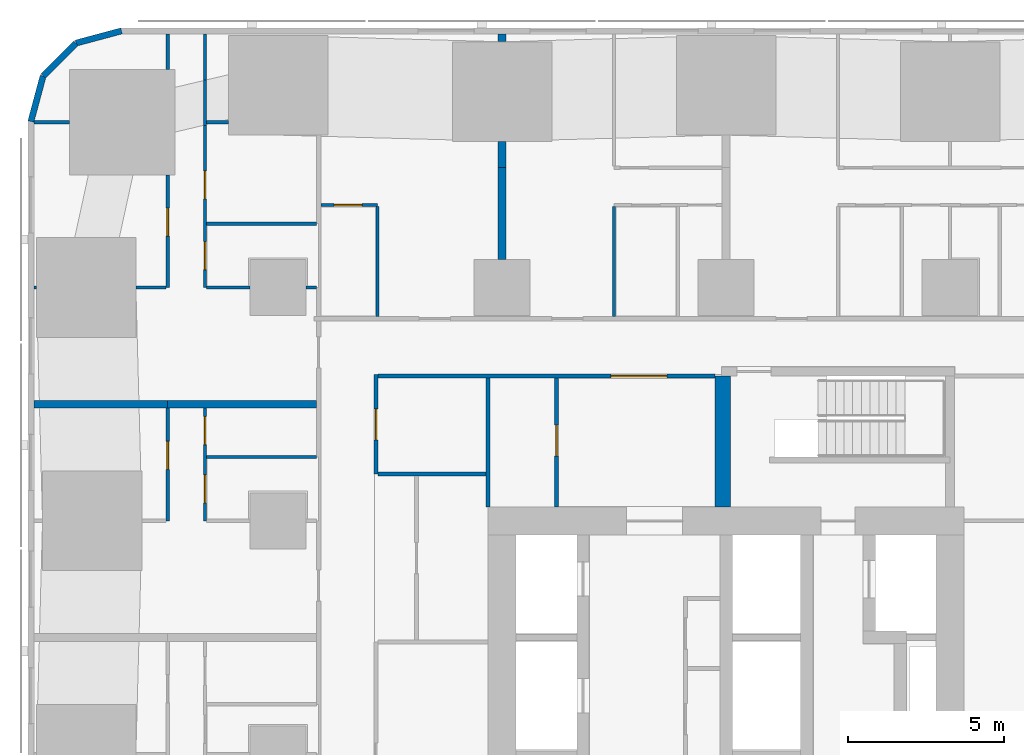
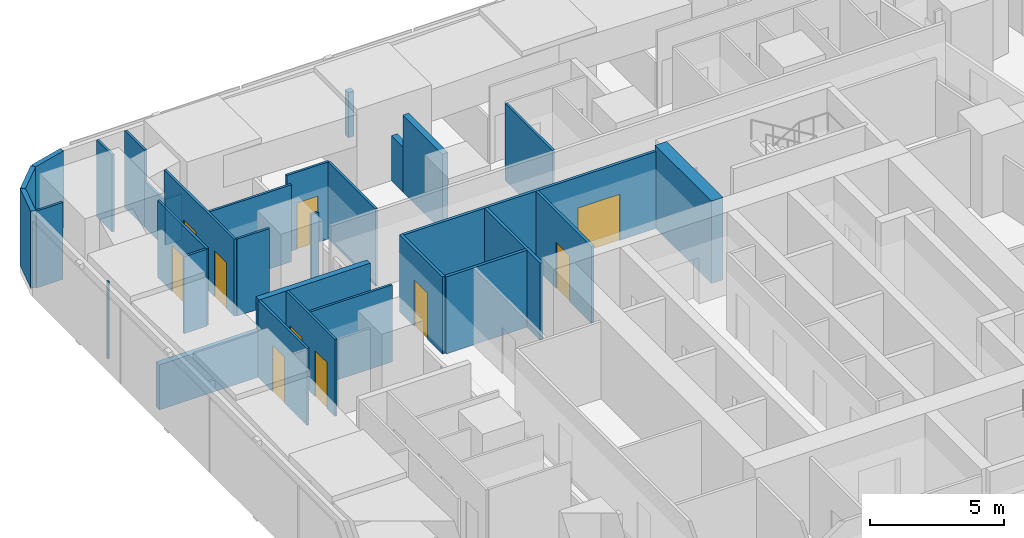
# One storey, part 12 of 18: 32 walls, 10 doors, 10 openings.
"""IFC4 building model written with IfcOpenShell, lengths in metres."""

from ifc_helpers import new_model, si_unit, direction, frame, frame_2d, origin, place, context, subcontext, project, spatial, rectangle, extrude, material, layer, layer_set, type_object, element, fill, save


model = new_model("IFC4")

# Units and contexts
model_context = context("Model", 3, precision=1e-05, world=origin(), true_north=direction((0.0, 1.0)))
body_context = subcontext(model_context, "Body", "Model", "MODEL_VIEW")
ifc_project = project(units=[si_unit("LENGTHUNIT", "METRE"), si_unit("AREAUNIT", "SQUARE_METRE"), si_unit("VOLUMEUNIT", "CUBIC_METRE"), si_unit("PLANEANGLEUNIT", "RADIAN"), si_unit("MASSUNIT", "GRAM", prefix="KILO")], contexts=[model_context])

# Site, building, storey
site_placement = place(None, origin())
site = spatial("IfcSite", under=ifc_project, at=site_placement, CompositionType="ELEMENT")
building_placement = place(site_placement, origin())
building = spatial("IfcBuilding", under=site, at=building_placement, Name="Sheger Commons Tower", CompositionType="ELEMENT")
storey_placement = place(building_placement, frame((0.0, 0.0, 20.0)))
storey = spatial("IfcBuildingStorey", under=building, at=storey_placement, Name="L04", CompositionType="ELEMENT", Elevation=20.0)

# Walls
ifc_material_1 = material(Name="Dense concrete block masonry, plastered both sides (separating wall between flats)", Category="masonry")
ifc_layer_1 = layer(ifc_material_1, 0.25)
ifc_layer_set_1 = layer_set([ifc_layer_1], Name="DEMISING WALL 250")
wall_type_1 = type_object("IfcWallType", Name="DEMISING WALL 250", PredefinedType="SOLIDWALL", material=ifc_layer_set_1)
wall_1_placement = place(storey_placement, frame((-0.64990234375, 33.75, 0.0), z_axis=(0.0, 0.0, 1.0), x_axis=(1.0, 0.0, 0.0)))
element("IfcWall", 1, at=wall_1_placement, inside=storey, type_object=wall_type_1, Name="Demising wall L04", PredefinedType="SOLIDWALL", context=body_context, shape_type="SweptSolid", body=[
    extrude(rectangle(XDim=4.2998046875, YDim=0.25, at=frame_2d((2.14990234375, 0.0))), origin(), (0.0, 0.0, 1.0), 2.050048828125),
])
wall_2_placement = place(storey_placement, frame((3.64990234375, 33.75, 0.0), z_axis=(0.0, 0.0, 1.0), x_axis=(1.0, 0.0, 0.0)))
element("IfcWall", 2, at=wall_2_placement, inside=storey, type_object=wall_type_1, Name="Demising wall L04", PredefinedType="SOLIDWALL", context=body_context, shape_type="SweptSolid", body=[
    extrude(rectangle(XDim=4.775146484375, YDim=0.25, at=frame_2d((2.3876953125, 0.0))), origin(), (0.0, 0.0, 1.0), 3.5),
])
wall_3_placement = place(storey_placement, frame((14.39990234375, 41.35009765625, 0.0), z_axis=(0.0, 0.0, 1.0), x_axis=(0.0, 1.0, 0.0)))
element("IfcWall", 3, at=wall_3_placement, inside=storey, type_object=wall_type_1, Name="Demising wall L04", PredefinedType="SOLIDWALL", context=body_context, shape_type="SweptSolid", body=[
    extrude(rectangle(XDim=0.848876953125, YDim=0.25, at=frame_2d((0.42431640625, 0.0))), origin(), (0.0, 0.0, 1.0), 2.050048828125),
])
wall_4_placement = place(storey_placement, frame((14.39990234375, 45.40087890625, 0.0), z_axis=(0.0, 0.0, 1.0), x_axis=(0.0, 1.0, 0.0)))
element("IfcWall", 4, at=wall_4_placement, inside=storey, type_object=wall_type_1, Name="Demising wall L04", PredefinedType="SOLIDWALL", context=body_context, shape_type="SweptSolid", body=[
    extrude(rectangle(XDim=0.2490234375, YDim=0.25, at=frame_2d((0.12451171875, 0.0))), origin(), (0.0, 0.0, 1.0), 2.050048828125),
])
wall_5_placement = place(storey_placement, frame((14.39990234375, 38.40087890625, 0.0), z_axis=(0.0, 0.0, 1.0), x_axis=(0.0, 1.0, 0.0)))
element("IfcWall", 5, at=wall_5_placement, inside=storey, type_object=wall_type_1, Name="Demising wall L04", PredefinedType="SOLIDWALL", context=body_context, shape_type="SweptSolid", body=[
    extrude(rectangle(XDim=2.94921875, YDim=0.25, at=frame_2d((1.474609375, 0.0))), origin(), (0.0, 0.0, 1.0), 3.5),
])
ifc_material_2 = material(Name="Rendered concrete block masonry, dark grey", Category="masonry")
ifc_layer_2 = layer(ifc_material_2, 0.199951171875)
ifc_layer_set_2 = layer_set([ifc_layer_2], Name="FACADE WALL 200")
wall_type_2 = type_object("IfcWallType", Name="FACADE WALL 200", PredefinedType="SOLIDWALL", material=ifc_layer_set_2)
wall_6_placement = place(storey_placement, frame((2.1630859375, 45.75, 0.0), z_axis=(0.0, 0.0, 1.0), x_axis=(-0.965832000415, -0.259168954497, 0.0)))
element("IfcWall", 6, at=wall_6_placement, inside=storey, type_object=wall_type_2, Name="Facade wall L04", PredefinedType="SOLIDWALL", context=body_context, shape_type="SweptSolid", body=[
    extrude(rectangle(XDim=1.512939453125, YDim=0.199951171875, at=frame_2d((0.75634765625, 0.0))), origin(), (0.0, 0.0, 1.0), 3.5),
])
wall_7_placement = place(storey_placement, frame((0.701904296875, 45.35791015625, 0.0), z_axis=(0.0, 0.0, 1.0), x_axis=(-0.707106781187, -0.707106781187, 0.0)))
element("IfcWall", 7, at=wall_7_placement, inside=storey, type_object=wall_type_2, Name="Facade wall L04", PredefinedType="SOLIDWALL", context=body_context, shape_type="SweptSolid", body=[
    extrude(rectangle(XDim=1.498779296875, YDim=0.199951171875, at=frame_2d((0.74951171875, 0.0))), origin(), (0.0, 0.0, 1.0), 3.5),
])
wall_8_placement = place(storey_placement, frame((-0.35791015625, 44.298095703125, 0.0), z_axis=(0.0, 0.0, 1.0), x_axis=(-0.259168954497, -0.965832000415, 0.0)))
element("IfcWall", 8, at=wall_8_placement, inside=storey, type_object=wall_type_2, Name="Facade wall L04", PredefinedType="SOLIDWALL", context=body_context, shape_type="SweptSolid", body=[
    extrude(rectangle(XDim=1.512939453125, YDim=0.199951171875, at=frame_2d((0.75634765625, 0.0))), origin(), (0.0, 0.0, 1.0), 3.5),
])

# Wall, opening, door
ifc_material_3 = material(Name="Gypsum board on steel studs", Category="steel")
ifc_layer_3 = layer(ifc_material_3, 0.10009765625)
ifc_layer_set_3 = layer_set([ifc_layer_3], Name="PARTITION 100")
wall_type_3 = type_object("IfcWallType", Name="PARTITION 100", PredefinedType="PARTITIONING", material=ifc_layer_set_3)
wall_9_placement = place(storey_placement, frame((3.64990234375, 30.0, 0.0), z_axis=(0.0, 0.0, 1.0), x_axis=(0.0, 1.0, 0.0)))
wall_9 = element("IfcWall", 9, at=wall_9_placement, inside=storey, type_object=wall_type_3, Name="Partition L04", PredefinedType="PARTITIONING", context=body_context, shape_type="SweptSolid", body=[
    extrude(rectangle(XDim=3.625, YDim=0.10009765625, at=frame_2d((1.8125, 0.0))), origin(), (0.0, 0.0, 1.0), 3.5),
])
opening_1_placement = place(wall_9_placement, frame((1.64990234375, 0.0, 0.0)))
opening_1 = element("IfcOpeningElement", 10, at=opening_1_placement, cuts=wall_9, Name="Opening D2", PredefinedType="OPENING", context=body_context, shape_type="SweptSolid", body=[
    extrude(rectangle(XDim=0.89990234375, YDim=2.10009765625, at=frame_2d((0.449951171875, 1.050048828125))), frame((0.0, 0.06005859375, 0.0), z_axis=(0.0, -1.0, 0.0), x_axis=(1.0, 0.0, 0.0)), (0.0, 0.0, 1.0), 0.1201171875),
])
ifc_material_4 = material(Name="Timber door set", Category="wood")
door_type_1 = type_object("IfcDoorType", Name="INTERNAL DOOR 900x2100", OperationType="NOTDEFINED", PredefinedType="DOOR", material=ifc_material_4)
door_1_placement = place(opening_1_placement, origin())
door_1 = element("IfcDoor", 11, at=door_1_placement, inside=storey, type_object=door_type_1, Name="Main bedroom door", OperationType="SINGLE_SWING_RIGHT", OverallHeight=2.10009765625, OverallWidth=0.89990234375, PredefinedType="DOOR", context=body_context, shape_type="SweptSolid", body=[
    extrude(rectangle(XDim=0.89990234375, YDim=2.10009765625, at=frame_2d((0.449951171875, 1.050048828125))), frame((0.0, 0.02490234375, 0.0), z_axis=(0.0, -1.0, 0.0), x_axis=(1.0, 0.0, 0.0)), (0.0, 0.0, 1.0), 0.050048828125),
])
fill(opening_1, door_1)

# Wall, openings, doors
wall_10_placement = place(storey_placement, frame((4.85009765625, 30.0, 0.0), z_axis=(0.0, 0.0, 1.0), x_axis=(0.0, 1.0, 0.0)))
wall_10 = element("IfcWall", 12, at=wall_10_placement, inside=storey, type_object=wall_type_3, Name="Partition L04", PredefinedType="PARTITIONING", context=body_context, shape_type="SweptSolid", body=[
    extrude(rectangle(XDim=3.625, YDim=0.10009765625, at=frame_2d((1.8125, 0.0))), origin(), (0.0, 0.0, 1.0), 3.5),
])
opening_2_placement = place(wall_10_placement, frame((0.574951171875, 0.0, 0.0)))
opening_2 = element("IfcOpeningElement", 13, at=opening_2_placement, cuts=wall_10, Name="Opening D2", PredefinedType="OPENING", context=body_context, shape_type="SweptSolid", body=[
    extrude(rectangle(XDim=0.89990234375, YDim=2.10009765625, at=frame_2d((0.449951171875, 1.050048828125))), frame((0.0, 0.06005859375, 0.0), z_axis=(0.0, -1.0, 0.0), x_axis=(1.0, 0.0, 0.0)), (0.0, 0.0, 1.0), 0.1201171875),
])
opening_3_placement = place(wall_10_placement, frame((2.449951171875, 0.0, 0.0)))
opening_3 = element("IfcOpeningElement", 14, at=opening_3_placement, cuts=wall_10, Name="Opening D2", PredefinedType="OPENING", context=body_context, shape_type="SweptSolid", body=[
    extrude(rectangle(XDim=0.89990234375, YDim=2.10009765625, at=frame_2d((0.449951171875, 1.050048828125))), frame((0.0, 0.06005859375, 0.0), z_axis=(0.0, -1.0, 0.0), x_axis=(1.0, 0.0, 0.0)), (0.0, 0.0, 1.0), 0.1201171875),
])
door_2_placement = place(opening_2_placement, origin())
door_2 = element("IfcDoor", 15, at=door_2_placement, inside=storey, type_object=door_type_1, Name="Bathroom door", OperationType="SINGLE_SWING_RIGHT", OverallHeight=2.10009765625, OverallWidth=0.89990234375, PredefinedType="DOOR", context=body_context, shape_type="SweptSolid", body=[
    extrude(rectangle(XDim=0.89990234375, YDim=2.10009765625, at=frame_2d((0.449951171875, 1.050048828125))), frame((0.0, 0.02490234375, 0.0), z_axis=(0.0, -1.0, 0.0), x_axis=(1.0, 0.0, 0.0)), (0.0, 0.0, 1.0), 0.050048828125),
])
fill(opening_2, door_2)
door_3_placement = place(opening_3_placement, origin())
door_3 = element("IfcDoor", 16, at=door_3_placement, inside=storey, type_object=door_type_1, Name="Store door", OperationType="SINGLE_SWING_LEFT", OverallHeight=2.10009765625, OverallWidth=0.89990234375, PredefinedType="DOOR", context=body_context, shape_type="SweptSolid", body=[
    extrude(rectangle(XDim=0.89990234375, YDim=2.10009765625, at=frame_2d((0.449951171875, 1.050048828125))), frame((0.0, 0.02490234375, 0.0), z_axis=(0.0, -1.0, 0.0), x_axis=(1.0, 0.0, 0.0)), (0.0, 0.0, 1.0), 0.050048828125),
])
fill(opening_3, door_3)

# Wall
wall_11_placement = place(storey_placement, frame((4.89990234375, 32.050048828125, 0.0), z_axis=(0.0, 0.0, 1.0), x_axis=(1.0, 0.0, 0.0)))
element("IfcWall", 17, at=wall_11_placement, inside=storey, type_object=wall_type_3, Name="Partition L04", PredefinedType="PARTITIONING", context=body_context, shape_type="SweptSolid", body=[
    extrude(rectangle(XDim=3.525146484375, YDim=0.10009765625, at=frame_2d((1.7626953125, 0.0))), origin(), (0.0, 0.0, 1.0), 3.5),
])

# Wall, opening, door
wall_12_placement = place(storey_placement, frame((3.64990234375, 37.5, 0.0), z_axis=(0.0, 0.0, 1.0), x_axis=(0.0, 1.0, 0.0)))
wall_12 = element("IfcWall", 18, at=wall_12_placement, inside=storey, type_object=wall_type_3, Name="Partition L04", PredefinedType="PARTITIONING", context=body_context, shape_type="SweptSolid", body=[
    extrude(rectangle(XDim=3.613037109375, YDim=0.10009765625, at=frame_2d((1.806640625, 0.0))), origin(), (0.0, 0.0, 1.0), 3.5),
])
opening_4_placement = place(wall_12_placement, frame((1.64990234375, 0.0, 0.0)))
opening_4 = element("IfcOpeningElement", 19, at=opening_4_placement, cuts=wall_12, Name="Opening D2", PredefinedType="OPENING", context=body_context, shape_type="SweptSolid", body=[
    extrude(rectangle(XDim=0.89990234375, YDim=2.10009765625, at=frame_2d((0.449951171875, 1.050048828125))), frame((0.0, 0.06005859375, 0.0), z_axis=(0.0, -1.0, 0.0), x_axis=(1.0, 0.0, 0.0)), (0.0, 0.0, 1.0), 0.1201171875),
])
door_4_placement = place(opening_4_placement, origin())
door_4 = element("IfcDoor", 20, at=door_4_placement, inside=storey, type_object=door_type_1, Name="Main bedroom door", OperationType="SINGLE_SWING_RIGHT", OverallHeight=2.10009765625, OverallWidth=0.89990234375, PredefinedType="DOOR", context=body_context, shape_type="SweptSolid", body=[
    extrude(rectangle(XDim=0.89990234375, YDim=2.10009765625, at=frame_2d((0.449951171875, 1.050048828125))), frame((0.0, 0.02490234375, 0.0), z_axis=(0.0, -1.0, 0.0), x_axis=(1.0, 0.0, 0.0)), (0.0, 0.0, 1.0), 0.050048828125),
])
fill(opening_4, door_4)

# Wall
wall_13_placement = place(storey_placement, frame((3.64990234375, 44.514892578125, 0.0), z_axis=(0.0, 0.0, 1.0), x_axis=(0.0, 1.0, 0.0)))
element("IfcWall", 21, at=wall_13_placement, inside=storey, type_object=wall_type_3, Name="Partition L04", PredefinedType="PARTITIONING", context=body_context, shape_type="SweptSolid", body=[
    extrude(rectangle(XDim=1.135009765625, YDim=0.10009765625, at=frame_2d((0.5673828125, 0.0))), origin(), (0.0, 0.0, 1.0), 3.5),
])

# Wall, openings, doors
wall_14_placement = place(storey_placement, frame((4.85009765625, 37.5, 0.0), z_axis=(0.0, 0.0, 1.0), x_axis=(0.0, 1.0, 0.0)))
wall_14 = element("IfcWall", 22, at=wall_14_placement, inside=storey, type_object=wall_type_3, Name="Partition L04", PredefinedType="PARTITIONING", context=body_context, shape_type="SweptSolid", body=[
    extrude(rectangle(XDim=5.212890625, YDim=0.10009765625, at=frame_2d((2.6064453125, 0.0))), origin(), (0.0, 0.0, 1.0), 3.5),
])
opening_5_placement = place(wall_14_placement, frame((0.574951171875, 0.0, 0.0)))
opening_5 = element("IfcOpeningElement", 23, at=opening_5_placement, cuts=wall_14, Name="Opening D2", PredefinedType="OPENING", context=body_context, shape_type="SweptSolid", body=[
    extrude(rectangle(XDim=0.89990234375, YDim=2.10009765625, at=frame_2d((0.449951171875, 1.050048828125))), frame((0.0, 0.06005859375, 0.0), z_axis=(0.0, -1.0, 0.0), x_axis=(1.0, 0.0, 0.0)), (0.0, 0.0, 1.0), 0.1201171875),
])
opening_6_placement = place(wall_14_placement, frame((2.85009765625, 0.0, 0.0)))
opening_6 = element("IfcOpeningElement", 24, at=opening_6_placement, cuts=wall_14, Name="Opening D2", PredefinedType="OPENING", context=body_context, shape_type="SweptSolid", body=[
    extrude(rectangle(XDim=0.89990234375, YDim=2.10009765625, at=frame_2d((0.449951171875, 1.050048828125))), frame((0.0, 0.06005859375, 0.0), z_axis=(0.0, -1.0, 0.0), x_axis=(1.0, 0.0, 0.0)), (0.0, 0.0, 1.0), 0.1201171875),
])
door_5_placement = place(opening_5_placement, origin())
door_5 = element("IfcDoor", 25, at=door_5_placement, inside=storey, type_object=door_type_1, Name="Bathroom door", OperationType="SINGLE_SWING_RIGHT", OverallHeight=2.10009765625, OverallWidth=0.89990234375, PredefinedType="DOOR", context=body_context, shape_type="SweptSolid", body=[
    extrude(rectangle(XDim=0.89990234375, YDim=2.10009765625, at=frame_2d((0.449951171875, 1.050048828125))), frame((0.0, 0.02490234375, 0.0), z_axis=(0.0, -1.0, 0.0), x_axis=(1.0, 0.0, 0.0)), (0.0, 0.0, 1.0), 0.050048828125),
])
fill(opening_5, door_5)
door_6_placement = place(opening_6_placement, origin())
door_6 = element("IfcDoor", 26, at=door_6_placement, inside=storey, type_object=door_type_1, Name="Store door", OperationType="SINGLE_SWING_RIGHT", OverallHeight=2.10009765625, OverallWidth=0.89990234375, PredefinedType="DOOR", context=body_context, shape_type="SweptSolid", body=[
    extrude(rectangle(XDim=0.89990234375, YDim=2.10009765625, at=frame_2d((0.449951171875, 1.050048828125))), frame((0.0, 0.02490234375, 0.0), z_axis=(0.0, -1.0, 0.0), x_axis=(1.0, 0.0, 0.0)), (0.0, 0.0, 1.0), 0.050048828125),
])
fill(opening_6, door_6)

# Walls
wall_15_placement = place(storey_placement, frame((4.85009765625, 42.712890625, 0.0), z_axis=(0.0, 0.0, 1.0), x_axis=(0.0, 1.0, 0.0)))
element("IfcWall", 27, at=wall_15_placement, inside=storey, type_object=wall_type_3, Name="Partition L04", PredefinedType="PARTITIONING", context=body_context, shape_type="SweptSolid", body=[
    extrude(rectangle(XDim=1.462158203125, YDim=0.10009765625, at=frame_2d((0.73095703125, 0.0))), origin(), (0.0, 0.0, 1.0), 2.10009765625),
])
wall_16_placement = place(storey_placement, frame((4.85009765625, 44.175048828125, 0.0), z_axis=(0.0, 0.0, 1.0), x_axis=(0.0, 1.0, 0.0)))
element("IfcWall", 28, at=wall_16_placement, inside=storey, type_object=wall_type_3, Name="Partition L04", PredefinedType="PARTITIONING", context=body_context, shape_type="SweptSolid", body=[
    extrude(rectangle(XDim=1.474853515625, YDim=0.10009765625, at=frame_2d((0.7373046875, 0.0))), origin(), (0.0, 0.0, 1.0), 3.5),
])
wall_17_placement = place(storey_placement, frame((-0.64990234375, 37.5, 0.0), z_axis=(0.0, 0.0, 1.0), x_axis=(1.0, 0.0, 0.0)))
element("IfcWall", 29, at=wall_17_placement, inside=storey, type_object=wall_type_3, Name="Partition L04", PredefinedType="PARTITIONING", context=body_context, shape_type="SweptSolid", body=[
    extrude(rectangle(XDim=0.073974609375, YDim=0.10009765625, at=frame_2d((0.037109375, 0.0))), origin(), (0.0, 0.0, 1.0), 3.5),
])
wall_18_placement = place(storey_placement, frame((2.6259765625, 37.5, 0.0), z_axis=(0.0, 0.0, 1.0), x_axis=(1.0, 0.0, 0.0)))
element("IfcWall", 30, at=wall_18_placement, inside=storey, type_object=wall_type_3, Name="Partition L04", PredefinedType="PARTITIONING", context=body_context, shape_type="SweptSolid", body=[
    extrude(rectangle(XDim=0.97412109375, YDim=0.10009765625, at=frame_2d((0.487060546875, 0.0))), origin(), (0.0, 0.0, 1.0), 3.5),
])
wall_19_placement = place(storey_placement, frame((-0.64990234375, 42.81396484375, 0.0), z_axis=(0.0, 0.0, 1.0), x_axis=(1.0, 0.0, 0.0)))
element("IfcWall", 31, at=wall_19_placement, inside=storey, type_object=wall_type_3, Name="Partition L04", PredefinedType="PARTITIONING", context=body_context, shape_type="SweptSolid", body=[
    extrude(rectangle(XDim=1.135009765625, YDim=0.10009765625, at=frame_2d((0.5673828125, 0.0))), origin(), (0.0, 0.0, 1.0), 3.5),
])
wall_20_placement = place(storey_placement, frame((4.89990234375, 37.5, 0.0), z_axis=(0.0, 0.0, 1.0), x_axis=(1.0, 0.0, 0.0)))
element("IfcWall", 32, at=wall_20_placement, inside=storey, type_object=wall_type_3, Name="Partition L04", PredefinedType="PARTITIONING", context=body_context, shape_type="SweptSolid", body=[
    extrude(rectangle(XDim=1.399169921875, YDim=0.10009765625, at=frame_2d((0.69970703125, 0.0))), origin(), (0.0, 0.0, 1.0), 3.5),
])
wall_21_placement = place(storey_placement, frame((8.10107421875, 37.5, 0.0), z_axis=(0.0, 0.0, 1.0), x_axis=(1.0, 0.0, 0.0)))
element("IfcWall", 33, at=wall_21_placement, inside=storey, type_object=wall_type_3, Name="Partition L04", PredefinedType="PARTITIONING", context=body_context, shape_type="SweptSolid", body=[
    extrude(rectangle(XDim=0.323974609375, YDim=0.10009765625, at=frame_2d((0.162109375, 0.0))), origin(), (0.0, 0.0, 1.0), 3.5),
])
wall_22_placement = place(storey_placement, frame((4.89990234375, 42.81396484375, 0.0), z_axis=(0.0, 0.0, 1.0), x_axis=(1.0, 0.0, 0.0)))
element("IfcWall", 34, at=wall_22_placement, inside=storey, type_object=wall_type_3, Name="Partition L04", PredefinedType="PARTITIONING", context=body_context, shape_type="SweptSolid", body=[
    extrude(rectangle(XDim=0.69921875, YDim=0.10009765625, at=frame_2d((0.349609375, 0.0))), origin(), (0.0, 0.0, 1.0), 2.10009765625),
])
wall_23_placement = place(storey_placement, frame((4.89990234375, 39.550048828125, 0.0), z_axis=(0.0, 0.0, 1.0), x_axis=(1.0, 0.0, 0.0)))
element("IfcWall", 35, at=wall_23_placement, inside=storey, type_object=wall_type_3, Name="Partition L04", PredefinedType="PARTITIONING", context=body_context, shape_type="SweptSolid", body=[
    extrude(rectangle(XDim=3.525146484375, YDim=0.10009765625, at=frame_2d((1.7626953125, 0.0))), origin(), (0.0, 0.0, 1.0), 3.5),
])

# Wall, opening, door
wall_24_placement = place(storey_placement, frame((8.574951171875, 40.14990234375, 0.0), z_axis=(0.0, 0.0, 1.0), x_axis=(1.0, 0.0, 0.0)))
wall_24 = element("IfcWall", 36, at=wall_24_placement, inside=storey, type_object=wall_type_3, Name="Partition L04", PredefinedType="PARTITIONING", context=body_context, shape_type="SweptSolid", body=[
    extrude(rectangle(XDim=1.81494140625, YDim=0.10009765625, at=frame_2d((0.907470703125, 0.0))), origin(), (0.0, 0.0, 1.0), 3.5),
])
opening_7_placement = place(wall_24_placement, frame((0.425048828125, 0.0, 0.0)))
opening_7 = element("IfcOpeningElement", 37, at=opening_7_placement, cuts=wall_24, Name="Opening D2", PredefinedType="OPENING", context=body_context, shape_type="SweptSolid", body=[
    extrude(rectangle(XDim=0.89990234375, YDim=2.10009765625, at=frame_2d((0.449951171875, 1.050048828125))), frame((0.0, 0.06005859375, 0.0), z_axis=(0.0, -1.0, 0.0), x_axis=(1.0, 0.0, 0.0)), (0.0, 0.0, 1.0), 0.1201171875),
])
door_7_placement = place(opening_7_placement, origin())
door_7 = element("IfcDoor", 38, at=door_7_placement, inside=storey, type_object=door_type_1, Name="Shower room door", OperationType="SINGLE_SWING_RIGHT", OverallHeight=2.10009765625, OverallWidth=0.89990234375, PredefinedType="DOOR", context=body_context, shape_type="SweptSolid", body=[
    extrude(rectangle(XDim=0.89990234375, YDim=2.10009765625, at=frame_2d((0.449951171875, 1.050048828125))), frame((0.0, 0.02490234375, 0.0), z_axis=(0.0, -1.0, 0.0), x_axis=(1.0, 0.0, 0.0)), (0.0, 0.0, 1.0), 0.050048828125),
])
fill(opening_7, door_7)

# Walls
for number, where, z_axis, x_axis, name in (
    (39, (10.389892578125, 36.574951171875, 0.0), (0.0, 0.0, 1.0), (0.0, 1.0, 0.0), "Partition L04"),
    (40, (18.0, 36.574951171875, 0.0), (0.0, 0.0, 1.0), (0.0, 1.0, 0.0), "Partition L04"),
):
    element("IfcWall", number, at=place(storey_placement, frame(where, z_axis=z_axis, x_axis=x_axis)), inside=storey, type_object=wall_type_3, Name=name, PredefinedType="PARTITIONING", context=body_context, shape_type="SweptSolid", body=[
        extrude(rectangle(XDim=3.525146484375, YDim=0.10009765625, at=frame_2d((1.7626953125, 0.0))), origin(), (0.0, 0.0, 1.0), 3.5),
    ])

# Wall, opening, door
ifc_material_5 = material(Name="Gypsum board on steel studs, two layers each side, fire rated", Category="steel")
ifc_layer_4 = layer(ifc_material_5, 0.125)
ifc_layer_set_4 = layer_set([ifc_layer_4], Name="SERVICE WALL 125")
wall_type_4 = type_object("IfcWallType", Name="SERVICE WALL 125", PredefinedType="PARTITIONING", material=ifc_layer_set_4)
wall_25_placement = place(storey_placement, frame((10.35009765625, 31.5, 0.0), z_axis=(0.0, 0.0, 1.0), x_axis=(0.0, 1.0, 0.0)))
wall_25 = element("IfcWall", 41, at=wall_25_placement, inside=storey, type_object=wall_type_4, Name="Service room wall L04", PredefinedType="PARTITIONING", context=body_context, shape_type="SweptSolid", body=[
    extrude(rectangle(XDim=3.199951171875, YDim=0.125, at=frame_2d((1.60009765625, 0.0))), origin(), (0.0, 0.0, 1.0), 3.5),
])
opening_8_placement = place(wall_25_placement, frame((1.10009765625, 0.0, 0.0)))
opening_8 = element("IfcOpeningElement", 42, at=opening_8_placement, cuts=wall_25, Name="Opening D4", PredefinedType="OPENING", context=body_context, shape_type="SweptSolid", body=[
    extrude(rectangle(XDim=1.0, YDim=2.10009765625, at=frame_2d((0.5, 1.050048828125))), frame((0.0, 0.072509765625, 0.0), z_axis=(0.0, -1.0, 0.0), x_axis=(1.0, 0.0, 0.0)), (0.0, 0.0, 1.0), 0.14501953125),
])
ifc_material_6 = material(Name="Steel door set, fire rated", Category="steel")
door_type_2 = type_object("IfcDoorType", Name="SERVICE DOOR 1000x2100", OperationType="NOTDEFINED", PredefinedType="DOOR", material=ifc_material_6)
door_8_placement = place(opening_8_placement, origin())
door_8 = element("IfcDoor", 43, at=door_8_placement, inside=storey, type_object=door_type_2, Name="Cleaner's store door", OperationType="SINGLE_SWING_RIGHT", OverallHeight=2.10009765625, OverallWidth=1.0, PredefinedType="DOOR", context=body_context, shape_type="SweptSolid", body=[
    extrude(rectangle(XDim=1.0, YDim=2.10009765625, at=frame_2d((0.5, 1.050048828125))), frame((0.0, 0.02490234375, 0.0), z_axis=(0.0, -1.0, 0.0), x_axis=(1.0, 0.0, 0.0)), (0.0, 0.0, 1.0), 0.050048828125),
])
fill(opening_8, door_8)

# Walls
wall_26_placement = place(storey_placement, frame((10.4130859375, 31.5, 0.0), z_axis=(0.0, 0.0, 1.0), x_axis=(1.0, 0.0, 0.0)))
element("IfcWall", 44, at=wall_26_placement, inside=storey, type_object=wall_type_4, Name="Service room wall L04", PredefinedType="PARTITIONING", context=body_context, shape_type="SweptSolid", body=[
    extrude(rectangle(XDim=3.474853515625, YDim=0.125, at=frame_2d((1.7373046875, 0.0))), origin(), (0.0, 0.0, 1.0), 3.5),
])
wall_27_placement = place(storey_placement, frame((13.949951171875, 30.449951171875, 0.0), z_axis=(0.0, 0.0, 1.0), x_axis=(0.0, 1.0, 0.0)))
element("IfcWall", 45, at=wall_27_placement, inside=storey, type_object=wall_type_4, Name="Service room wall L04", PredefinedType="PARTITIONING", context=body_context, shape_type="SweptSolid", body=[
    extrude(rectangle(XDim=4.136962890625, YDim=0.125, at=frame_2d((2.068359375, 0.0))), origin(), (0.0, 0.0, 1.0), 3.5),
])

# Wall, opening, door
wall_28_placement = place(storey_placement, frame((10.4130859375, 34.64990234375, 0.0), z_axis=(0.0, 0.0, 1.0), x_axis=(1.0, 0.0, 0.0)))
wall_28 = element("IfcWall", 46, at=wall_28_placement, inside=storey, type_object=wall_type_4, Name="Service room wall L04", PredefinedType="PARTITIONING", context=body_context, shape_type="SweptSolid", body=[
    extrude(rectangle(XDim=10.8369140625, YDim=0.125, at=frame_2d((5.41845703125, 0.0))), origin(), (0.0, 0.0, 1.0), 3.5),
])
opening_9_placement = place(wall_28_placement, frame((7.487060546875, 0.0, 0.0)))
opening_9 = element("IfcOpeningElement", 47, at=opening_9_placement, cuts=wall_28, Name="Opening D6", PredefinedType="OPENING", context=body_context, shape_type="SweptSolid", body=[
    extrude(rectangle(XDim=1.800048828125, YDim=2.10009765625, at=frame_2d((0.89990234375, 1.050048828125))), frame((0.0, 0.072509765625, 0.0), z_axis=(0.0, -1.0, 0.0), x_axis=(1.0, 0.0, 0.0)), (0.0, 0.0, 1.0), 0.14501953125),
])
ifc_material_7 = material(Name="Steel door set, fire rated", Category="steel")
door_type_3 = type_object("IfcDoorType", Name="LOBBY DOUBLE DOOR 1800x2100", OperationType="DOUBLE_DOOR_SINGLE_SWING", PredefinedType="DOOR", material=ifc_material_7)
door_9_placement = place(opening_9_placement, origin())
door_9 = element("IfcDoor", 48, at=door_9_placement, inside=storey, type_object=door_type_3, Name="Lift lobby north door", OperationType="DOUBLE_DOOR_SINGLE_SWING", OverallHeight=2.10009765625, OverallWidth=1.800048828125, PredefinedType="DOOR", context=body_context, shape_type="SweptSolid", body=[
    extrude(rectangle(XDim=1.800048828125, YDim=2.10009765625, at=frame_2d((0.89990234375, 1.050048828125))), frame((0.0, 0.02490234375, 0.0), z_axis=(0.0, -1.0, 0.0), x_axis=(1.0, 0.0, 0.0)), (0.0, 0.0, 1.0), 0.050048828125),
])
fill(opening_9, door_9)

wall_29_placement = place(storey_placement, frame((16.14990234375, 30.449951171875, 0.0), z_axis=(0.0, 0.0, 1.0), x_axis=(0.0, 1.0, 0.0)))
wall_29 = element("IfcWall", 49, at=wall_29_placement, inside=storey, type_object=wall_type_4, Name="Service room wall L04", PredefinedType="PARTITIONING", context=body_context, shape_type="SweptSolid", body=[
    extrude(rectangle(XDim=4.136962890625, YDim=0.125, at=frame_2d((2.068359375, 0.0))), origin(), (0.0, 0.0, 1.0), 3.5),
])
opening_10_placement = place(wall_29_placement, frame((1.625, 0.0, 0.0)))
opening_10 = element("IfcOpeningElement", 50, at=opening_10_placement, cuts=wall_29, Name="Opening D4", PredefinedType="OPENING", context=body_context, shape_type="SweptSolid", body=[
    extrude(rectangle(XDim=1.0, YDim=2.10009765625, at=frame_2d((0.5, 1.050048828125))), frame((0.0, 0.072509765625, 0.0), z_axis=(0.0, -1.0, 0.0), x_axis=(1.0, 0.0, 0.0)), (0.0, 0.0, 1.0), 0.14501953125),
])
door_10_placement = place(opening_10_placement, origin())
door_10 = element("IfcDoor", 51, at=door_10_placement, inside=storey, type_object=door_type_2, Name="Telecom room door", OperationType="SINGLE_SWING_RIGHT", OverallHeight=2.10009765625, OverallWidth=1.0, PredefinedType="DOOR", context=body_context, shape_type="SweptSolid", body=[
    extrude(rectangle(XDim=1.0, YDim=2.10009765625, at=frame_2d((0.5, 1.050048828125))), frame((0.0, 0.02490234375, 0.0), z_axis=(0.0, -1.0, 0.0), x_axis=(1.0, 0.0, 0.0)), (0.0, 0.0, 1.0), 0.050048828125),
])
fill(opening_10, door_10)

# Wall
ifc_material_8 = material(Name="Concrete C50/60", Category="concrete")
ifc_layer_5 = layer(ifc_material_8, 0.5)
ifc_layer_set_5 = layer_set([ifc_layer_5], Name="STAIR CORE WALL 500")
wall_type_5 = type_object("IfcWallType", Name="STAIR CORE WALL 500", PredefinedType="SHEAR", material=ifc_layer_set_5)
wall_30_placement = place(storey_placement, frame((21.5, 30.449951171875, 0.0), z_axis=(0.0, 0.0, 1.0), x_axis=(0.0, 1.0, 0.0)))
element("IfcWall", 52, at=wall_30_placement, inside=storey, type_object=wall_type_5, Name="STW-L04-S2W", PredefinedType="SHEAR", context=body_context, shape_type="SweptSolid", body=[
    extrude(rectangle(XDim=4.199951171875, YDim=0.5, at=frame_2d((2.10009765625, 0.0))), origin(), (0.0, 0.0, 1.0), 3.75),
])

save(model, "model.ifc")
